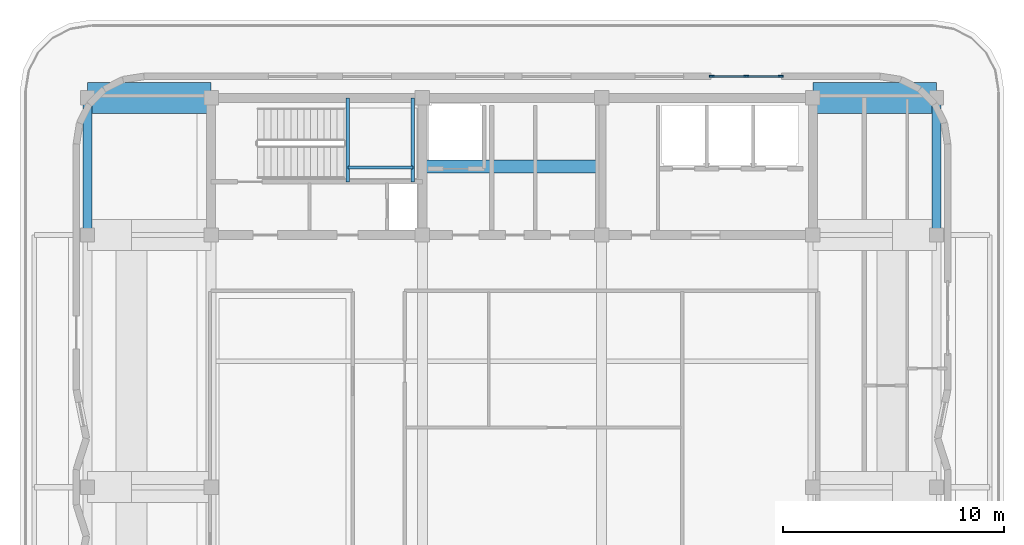
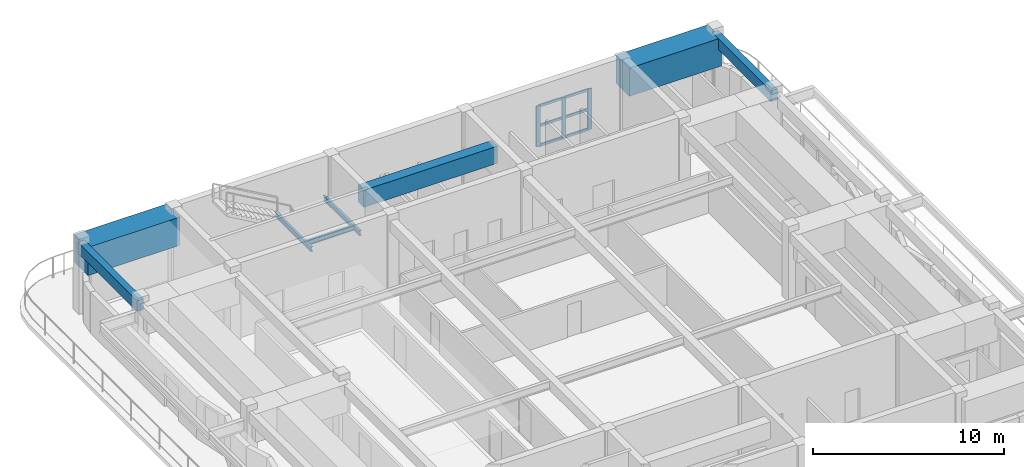
# One storey, part 4 of 12: 9 members, 8 beams, 1 element without a shape of its own.
"""IFC4 building model written with IfcOpenShell, lengths in metres."""

from ifc_helpers import new_model, si_unit, direction, frame, origin, origin_2d, place, context, subcontext, project, spatial, rectangle, i_section, extrude, material, material_profile, profile_set, type_object, element, aggregate, save


model = new_model("IFC4")

# Units and contexts
model_context = context("Model", 3, precision=1e-05, world=origin(), true_north=direction((0.0, 1.0)))
body_context = subcontext(model_context, "Body", "Model", "MODEL_VIEW")
ifc_project = project(units=[si_unit("LENGTHUNIT", "METRE"), si_unit("AREAUNIT", "SQUARE_METRE"), si_unit("VOLUMEUNIT", "CUBIC_METRE"), si_unit("PLANEANGLEUNIT", "RADIAN"), si_unit("MASSUNIT", "GRAM", prefix="KILO")], contexts=[model_context])

# Site, building, storey
site_placement = place(None, origin())
site = spatial("IfcSite", under=ifc_project, at=site_placement, CompositionType="ELEMENT")
building_placement = place(site_placement, origin())
building = spatial("IfcBuilding", under=site, at=building_placement, Name="Svetorya Sky Lyceum", CompositionType="ELEMENT")
storey_placement = place(building_placement, frame((0.0, 0.0, 297.199951171875)))
storey = spatial("IfcBuildingStorey", under=building, at=storey_placement, Name="L75", CompositionType="ELEMENT", Elevation=297.199951171875)

# Beams
ifc_material_1 = material(Name="Concrete C60/75", Category="concrete")
ifc_material_profile_1 = material_profile(ifc_material_1, rectangle(XDim=0.60009765625, YDim=1.10009765625, at=origin_2d()), Name="RC COUPLING 600x1100")
ifc_profile_set_1 = profile_set([ifc_material_profile_1], Name="Concrete C60/75")
beam_type_1 = type_object("IfcBeamType", Name="BM-CPL-1100", PredefinedType="LINTEL", material=ifc_profile_set_1)
beam_1_placement = place(storey_placement, frame((35.14990234375, 42.699951171875, 3.85009765625), z_axis=(1.0, 0.0, 0.0), x_axis=(0.0, 1.0, 0.0)))
element("IfcBeam", 1, at=beam_1_placement, inside=storey, type_object=beam_type_1, Name="L75 NC Core Coupling Beam", PredefinedType="LINTEL", context=body_context, shape_type="SweptSolid", body=[
    extrude(rectangle(XDim=0.60009765625, YDim=1.10009765625, at=origin_2d()), origin(), (0.0, 0.0, 1.0), 8.10009765625),
])
ifc_material_2 = material(Name="Concrete C50/60", Category="concrete")
ifc_material_profile_2 = material_profile(ifc_material_2, rectangle(XDim=0.39990234375, YDim=0.699951171875, at=origin_2d()), Name="RC SPANDREL 400x700")
ifc_profile_set_2 = profile_set([ifc_material_profile_2], Name="Concrete C50/60")
beam_type_2 = type_object("IfcBeamType", Name="BM-SPN-700", PredefinedType="SPANDREL", material=ifc_profile_set_2)
for number, where, z_axis, x_axis, name in (
    (2, (20.010009765625, 39.60009765625, 4.050048828125), (0.0, 1.0, 0.0), (-1.0, 0.0, 0.0), "L75 West Spandrel 4"),
    (3, (58.389892578125, 39.60009765625, 4.050048828125), (0.0, 1.0, 0.0), (-1.0, 0.0, 0.0), "L75 East Spandrel 4"),
):
    element("IfcBeam", number, at=place(storey_placement, frame(where, z_axis=z_axis, x_axis=x_axis)), inside=storey, type_object=beam_type_2, Name=name, PredefinedType="SPANDREL", context=body_context, shape_type="SweptSolid", body=[
        extrude(rectangle(XDim=0.39990234375, YDim=0.699951171875, at=origin_2d()), origin(), (0.0, 0.0, 1.0), 6.199951171875),
    ])
ifc_material_3 = material(Name="Steel S355", Category="steel")
ifc_material_profile_3 = material_profile(ifc_material_3, i_section(OverallWidth=0.14990234375, OverallDepth=0.299072265625, WebThickness=0.006591796875, FlangeThickness=0.010498046875, at=origin_2d()), Name="GOST 30B2")
ifc_profile_set_3 = profile_set([ifc_material_profile_3], Name="Steel S355")
beam_type_3 = type_object("IfcBeamType", Name="BM-STL-30B2", PredefinedType="JOIST", material=ifc_profile_set_3)
for number, where, z_axis, x_axis, name in (
    (4, (31.780029296875, 42.0, 2.050537109375), (0.0, 1.0, 0.0), (-1.0, 0.0, 0.0), "L75 Stair ST-N Half-Landing Support Beam 83.1"),
    (5, (34.719970703125, 42.0, 2.050537109375), (0.0, 1.0, 0.0), (-1.0, 0.0, 0.0), "L75 Stair ST-N Half-Landing Support Beam 83.2"),
):
    element("IfcBeam", number, at=place(storey_placement, frame(where, z_axis=z_axis, x_axis=x_axis)), inside=storey, type_object=beam_type_3, Name=name, PredefinedType="JOIST", context=body_context, shape_type="SweptSolid", body=[
        extrude(i_section(OverallWidth=0.14990234375, OverallDepth=0.299072265625, WebThickness=0.006591796875, FlangeThickness=0.010498046875, at=origin_2d()), origin(), (0.0, 0.0, 1.0), 3.800048828125),
    ])
beam_2_placement = place(storey_placement, frame((31.780029296875, 42.64990234375, 2.050537109375), z_axis=(1.0, 0.0, 0.0), x_axis=(0.0, 1.0, 0.0)))
element("IfcBeam", 6, at=beam_2_placement, inside=storey, type_object=beam_type_3, Name="L75 Stair ST-N Half-Landing Cross Tie 83", PredefinedType="JOIST", context=body_context, shape_type="SweptSolid", body=[
    extrude(i_section(OverallWidth=0.14990234375, OverallDepth=0.299072265625, WebThickness=0.006591796875, FlangeThickness=0.010498046875, at=origin_2d()), origin(), (0.0, 0.0, 1.0), 2.93994140625),
])
ifc_material_profile_4 = material_profile(ifc_material_1, rectangle(XDim=1.39990234375, YDim=1.800048828125, at=origin_2d()), Name="RC TRANSFER 1400x1800")
ifc_profile_set_4 = profile_set([ifc_material_profile_4], Name="Concrete C60/75")
beam_type_4 = type_object("IfcBeamType", Name="BM-TRF-2200", PredefinedType="BEAM", material=ifc_profile_set_4)
beam_3_placement = place(storey_placement, frame((20.010009765625, 45.800048828125, 3.5), z_axis=(1.0, 0.0, 0.0), x_axis=(0.0, 1.0, 0.0)))
element("IfcBeam", 7, at=beam_3_placement, inside=storey, type_object=beam_type_4, Name="L75 West Edge Tie Girder 5", PredefinedType="BEAM", context=body_context, shape_type="SweptSolid", body=[
    extrude(rectangle(XDim=1.39990234375, YDim=1.800048828125, at=origin_2d()), origin(), (0.0, 0.0, 1.0), 5.590087890625),
])
beam_4_placement = place(storey_placement, frame((52.800048828125, 45.800048828125, 3.5), z_axis=(1.0, 0.0, 0.0), x_axis=(0.0, 1.0, 0.0)))
element("IfcBeam", 8, at=beam_4_placement, inside=storey, type_object=beam_type_4, Name="L75 East Edge Tie Girder 5", PredefinedType="BEAM", context=body_context, shape_type="SweptSolid", body=[
    extrude(rectangle(XDim=1.39990234375, YDim=1.800048828125, at=origin_2d()), origin(), (0.0, 0.0, 1.0), 5.58984375),
])

# Curtain wall, members
ifc_material_4 = material(Name="Thermally broken anodized aluminium and triple low-E glass", Category="aluminium")
curtain_wall_type = type_object("IfcCurtainWallType", Name="CW6-CRN-OBS", PredefinedType="NOTDEFINED", material=ifc_material_4)
curtain_wall_placement = place(storey_placement, origin())
curtain_wall = element("IfcCurtainWall", 9, at=curtain_wall_placement, inside=storey, type_object=curtain_wall_type, Name="L75 Observatory Curtain Wall 24", PredefinedType="NOTDEFINED")
ifc_material_5 = material(Name="Thermally broken anodized aluminium EN AW-6060", Category="aluminium")
ifc_material_profile_5 = material_profile(ifc_material_5, rectangle(XDim=0.0849609375, YDim=0.239990234375, at=origin_2d()), Name="ALU MULLION 85x240")
ifc_profile_set_5 = profile_set([ifc_material_profile_5], Name="Thermally broken anodized aluminium EN AW-6060")
member_type_1 = type_object("IfcMemberType", Name="CWM-MUL-240", PredefinedType="MULLION", material=ifc_profile_set_5)
member_1_placement = place(storey_placement, frame((51.347412109375, 46.77001953125, 0.0), z_axis=(0.0, 0.0, 1.0), x_axis=(0.0, -1.0, 0.0)))
member_1 = element("IfcMember", 10, at=member_1_placement, type_object=member_type_1, Name="CW-6 mullion 1", PredefinedType="MULLION", context=body_context, shape_type="SweptSolid", body=[
    extrude(rectangle(XDim=0.0849609375, YDim=0.239990234375, at=origin_2d()), origin(), (0.0, 0.0, 1.0), 2.60009765625),
])
member_2_placement = place(storey_placement, frame((49.7900390625, 46.77001953125, 0.0), z_axis=(0.0, 0.0, 1.0), x_axis=(0.0, -1.0, 0.0)))
member_2 = element("IfcMember", 11, at=member_2_placement, type_object=member_type_1, Name="CW-6 mullion 2", PredefinedType="MULLION", context=body_context, shape_type="SweptSolid", body=[
    extrude(rectangle(XDim=0.0849609375, YDim=0.239990234375, at=origin_2d()), origin(), (0.0, 0.0, 1.0), 2.60009765625),
])
member_3_placement = place(storey_placement, frame((48.232421875, 46.77001953125, 0.0), z_axis=(0.0, 0.0, 1.0), x_axis=(0.0, -1.0, 0.0)))
member_3 = element("IfcMember", 12, at=member_3_placement, type_object=member_type_1, Name="CW-6 mullion 3", PredefinedType="MULLION", context=body_context, shape_type="SweptSolid", body=[
    extrude(rectangle(XDim=0.0849609375, YDim=0.239990234375, at=origin_2d()), origin(), (0.0, 0.0, 1.0), 2.60009765625),
])
ifc_material_profile_6 = material_profile(ifc_material_5, rectangle(XDim=0.074951171875, YDim=0.159912109375, at=origin_2d()), Name="ALU TRANSOM 75x160")
ifc_profile_set_6 = profile_set([ifc_material_profile_6], Name="Thermally broken anodized aluminium EN AW-6060")
member_type_2 = type_object("IfcMemberType", Name="CWM-TRN-160", PredefinedType="USERDEFINED", material=ifc_profile_set_6)
member_4_placement = place(storey_placement, frame((51.306396484375, 46.77001953125, 0.03759765625), z_axis=(-1.0, 0.0, 0.0), x_axis=(0.0, -1.0, 0.0)))
member_4 = element("IfcMember", 13, at=member_4_placement, type_object=member_type_2, Name="CW-6 transom 1.1", ObjectType="TRANSOM", PredefinedType="USERDEFINED", context=body_context, shape_type="SweptSolid", body=[
    extrude(rectangle(XDim=0.074951171875, YDim=0.159912109375, at=origin_2d()), origin(), (0.0, 0.0, 1.0), 1.475341796875),
])
member_5_placement = place(storey_placement, frame((51.306396484375, 46.77001953125, 1.300048828125), z_axis=(-1.0, 0.0, 0.0), x_axis=(0.0, -1.0, 0.0)))
member_5 = element("IfcMember", 14, at=member_5_placement, type_object=member_type_2, Name="CW-6 transom 1.2", ObjectType="TRANSOM", PredefinedType="USERDEFINED", context=body_context, shape_type="SweptSolid", body=[
    extrude(rectangle(XDim=0.074951171875, YDim=0.159912109375, at=origin_2d()), origin(), (0.0, 0.0, 1.0), 1.475341796875),
])
member_6_placement = place(storey_placement, frame((51.306396484375, 46.77001953125, 2.5625), z_axis=(-1.0, 0.0, 0.0), x_axis=(0.0, -1.0, 0.0)))
member_6 = element("IfcMember", 15, at=member_6_placement, type_object=member_type_2, Name="CW-6 transom 1.3", ObjectType="TRANSOM", PredefinedType="USERDEFINED", context=body_context, shape_type="SweptSolid", body=[
    extrude(rectangle(XDim=0.074951171875, YDim=0.159912109375, at=origin_2d()), origin(), (0.0, 0.0, 1.0), 1.475341796875),
])
member_7_placement = place(storey_placement, frame((49.7490234375, 46.77001953125, 0.03759765625), z_axis=(-1.0, 0.0, 0.0), x_axis=(0.0, -1.0, 0.0)))
member_7 = element("IfcMember", 16, at=member_7_placement, type_object=member_type_2, Name="CW-6 transom 2.1", ObjectType="TRANSOM", PredefinedType="USERDEFINED", context=body_context, shape_type="SweptSolid", body=[
    extrude(rectangle(XDim=0.074951171875, YDim=0.159912109375, at=origin_2d()), origin(), (0.0, 0.0, 1.0), 1.4755859375),
])
member_8_placement = place(storey_placement, frame((49.7490234375, 46.77001953125, 1.300048828125), z_axis=(-1.0, 0.0, 0.0), x_axis=(0.0, -1.0, 0.0)))
member_8 = element("IfcMember", 17, at=member_8_placement, type_object=member_type_2, Name="CW-6 transom 2.2", ObjectType="TRANSOM", PredefinedType="USERDEFINED", context=body_context, shape_type="SweptSolid", body=[
    extrude(rectangle(XDim=0.074951171875, YDim=0.159912109375, at=origin_2d()), origin(), (0.0, 0.0, 1.0), 1.4755859375),
])
member_9_placement = place(storey_placement, frame((49.7490234375, 46.77001953125, 2.5625), z_axis=(-1.0, 0.0, 0.0), x_axis=(0.0, -1.0, 0.0)))
member_9 = element("IfcMember", 18, at=member_9_placement, type_object=member_type_2, Name="CW-6 transom 2.3", ObjectType="TRANSOM", PredefinedType="USERDEFINED", context=body_context, shape_type="SweptSolid", body=[
    extrude(rectangle(XDim=0.074951171875, YDim=0.159912109375, at=origin_2d()), origin(), (0.0, 0.0, 1.0), 1.4755859375),
])
aggregate(curtain_wall, [member_1, member_2, member_3, member_4, member_5, member_6, member_7, member_8, member_9])

save(model, "model.ifc")
